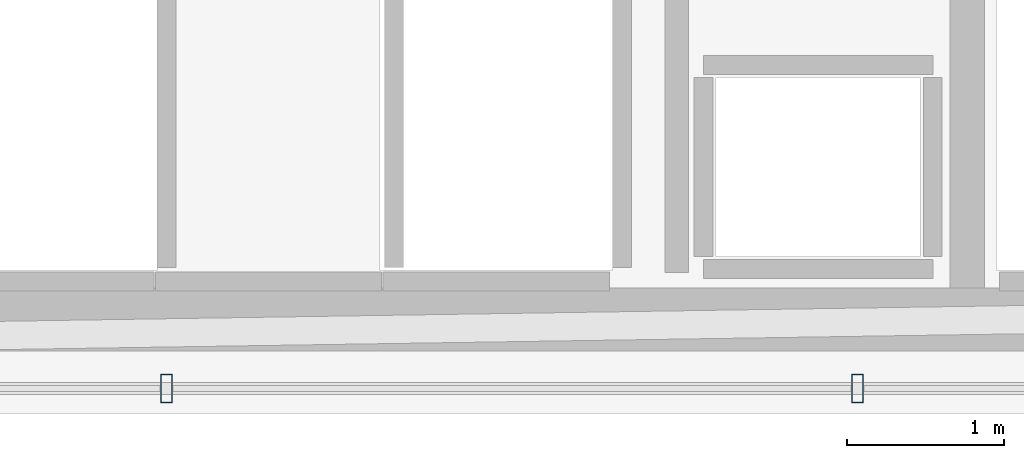
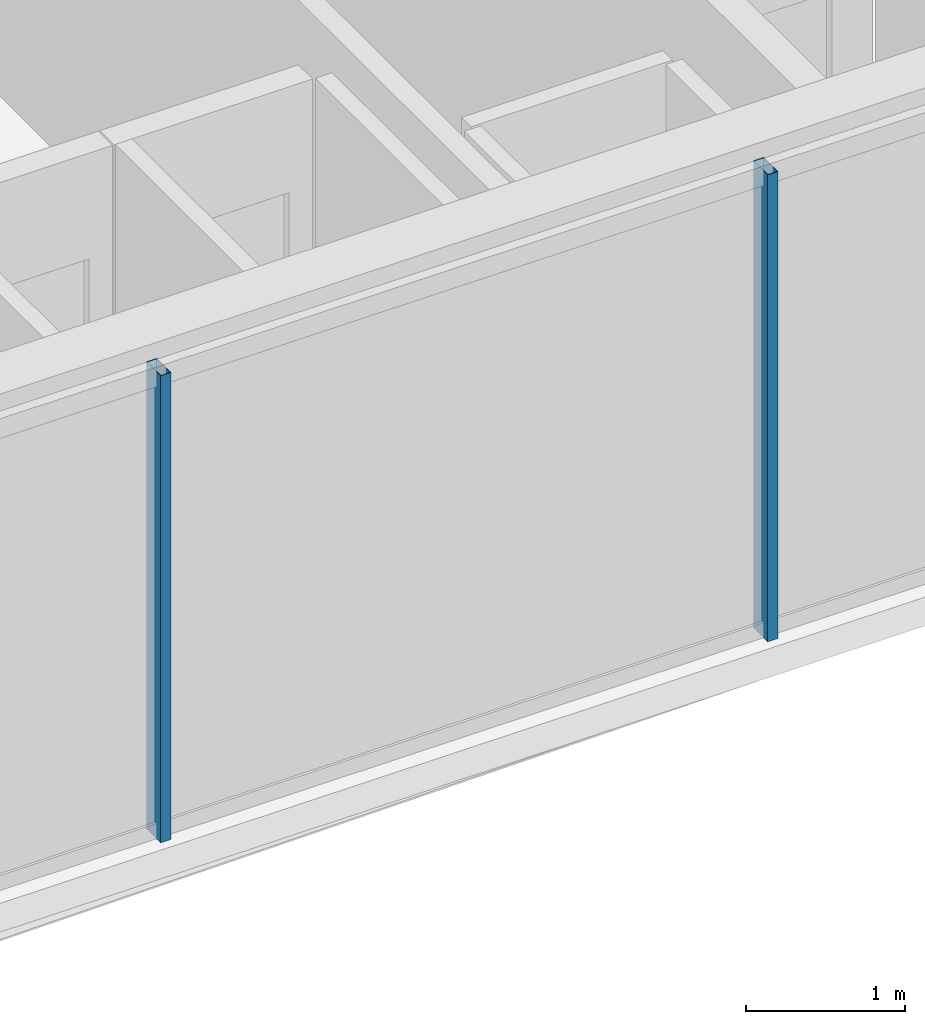
# One storey, part 9 of 32: 2 members, 1 element without a shape of its own.
"""IFC4 building model written with IfcOpenShell, lengths in metres."""

from ifc_helpers import new_model, si_unit, direction, frame, origin, origin_2d, place, context, subcontext, project, spatial, hollow_rectangle, extrude, material, layer, layer_set, material_profile, profile_set, type_object, element, aggregate, save


model = new_model("IFC4")

# Units and contexts
model_context = context("Model", 3, precision=1e-05, world=origin(), true_north=direction((0.0, 1.0)))
body_context = subcontext(model_context, "Body", "Model", "MODEL_VIEW")
ifc_project = project(units=[si_unit("LENGTHUNIT", "METRE"), si_unit("AREAUNIT", "SQUARE_METRE"), si_unit("VOLUMEUNIT", "CUBIC_METRE"), si_unit("PLANEANGLEUNIT", "RADIAN"), si_unit("MASSUNIT", "GRAM", prefix="KILO")], contexts=[model_context])

# Site, building, storey
site_placement = place(None, origin())
site = spatial("IfcSite", under=ifc_project, at=site_placement, CompositionType="ELEMENT")
building_placement = place(site_placement, origin())
building = spatial("IfcBuilding", under=site, at=building_placement, Name="Ndaravel Arena Tower", CompositionType="ELEMENT")
storey_placement = place(building_placement, frame((0.0, 0.0, 252.199951171875)))
storey = spatial("IfcBuildingStorey", under=building, at=storey_placement, Name="L61", CompositionType="ELEMENT", Elevation=252.199951171875)

# Curtain wall, members
ifc_material_1 = material(Name="Aluminium", Category="aluminium")
ifc_layer = layer(ifc_material_1, 0.179931640625)
ifc_layer_set = layer_set([ifc_layer], Name="Aluminium")
curtain_wall_type = type_object("IfcCurtainWallType", Name="CW-SYS-03", PredefinedType="NOTDEFINED", material=ifc_layer_set)
curtain_wall_placement = place(storey_placement, origin())
curtain_wall = element("IfcCurtainWall", 1, at=curtain_wall_placement, inside=storey, type_object=curtain_wall_type, Name="L61 Faceted Crystal Curtain Wall CW-L61-E01", PredefinedType="NOTDEFINED")
ifc_material_2 = material(Name="Aluminium", Category="aluminium")
ifc_material_profile = material_profile(ifc_material_2, hollow_rectangle(XDim=0.074951171875, YDim=0.179931640625, WallThickness=0.00390625, at=origin_2d()), Name="CW MULLION 75x180x4")
ifc_profile_set = profile_set([ifc_material_profile], Name="Aluminium")
member_type = type_object("IfcMemberType", Name="MEM-CW-MUL180", PredefinedType="MULLION", material=ifc_profile_set)
member_1_placement = place(storey_placement, frame((44.2001953125, 5.159912109375, 0.0), z_axis=(0.0, 0.0, 1.0), x_axis=(1.0, 0.0, 0.0)))
member_1 = element("IfcMember", 2, at=member_1_placement, type_object=member_type, Name="CW-L61-E01 Mullion 05", PredefinedType="MULLION", context=body_context, shape_type="SweptSolid", body=[
    extrude(hollow_rectangle(XDim=0.074951171875, YDim=0.179931640625, WallThickness=0.00390625, at=origin_2d()), origin(), (0.0, 0.0, 1.0), 3.580078125),
])
member_2_placement = place(storey_placement, frame((48.60107421875, 5.159912109375, 0.0), z_axis=(0.0, 0.0, 1.0), x_axis=(1.0, 0.0, 0.0)))
member_2 = element("IfcMember", 3, at=member_2_placement, type_object=member_type, Name="CW-L61-E01 Mullion 06", PredefinedType="MULLION", context=body_context, shape_type="SweptSolid", body=[
    extrude(hollow_rectangle(XDim=0.074951171875, YDim=0.179931640625, WallThickness=0.00390625, at=origin_2d()), origin(), (0.0, 0.0, 1.0), 3.580078125),
])
aggregate(curtain_wall, [member_1, member_2])

save(model, "model.ifc")
